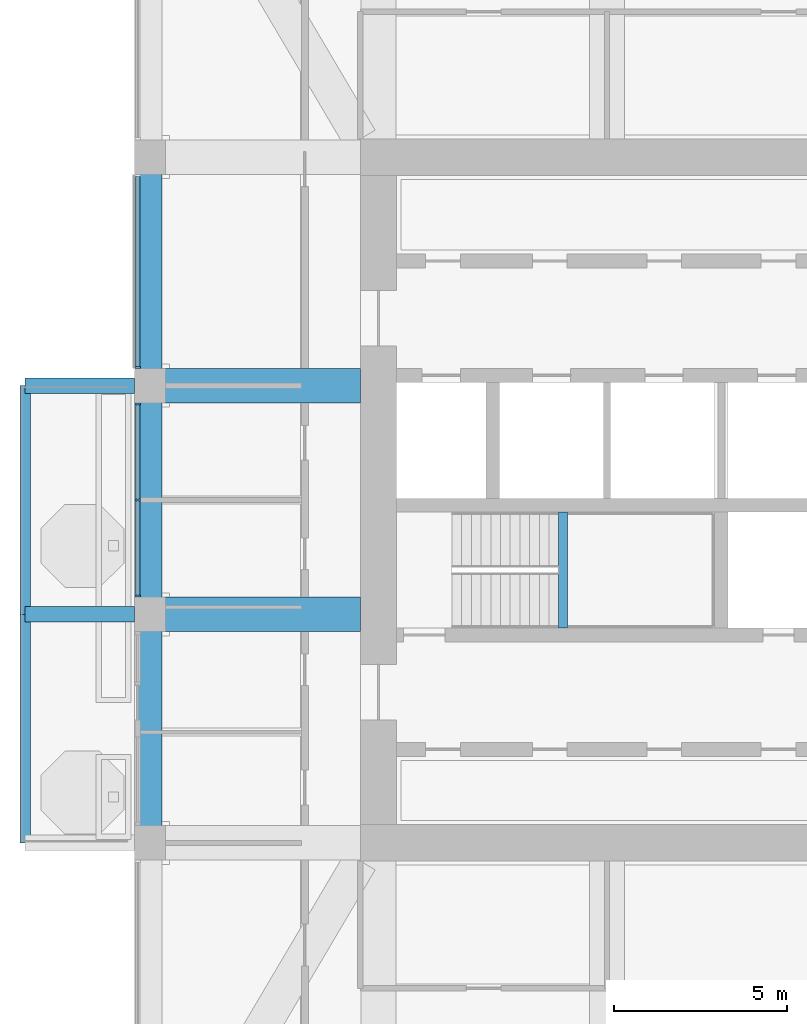
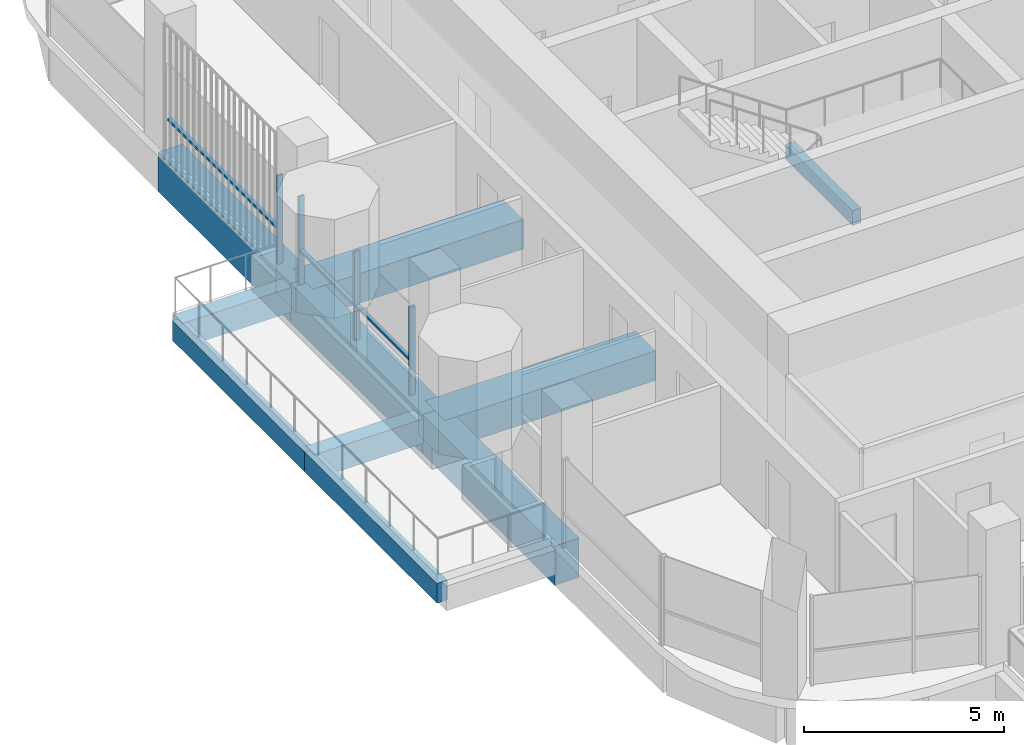
# One storey, part 3 of 19: 10 beams, 7 members, 2 elements without a shape of their own.
"""IFC4 building model written with IfcOpenShell, lengths in metres."""

from ifc_helpers import new_model, si_unit, direction, frame, origin, origin_2d, place, context, subcontext, project, spatial, rectangle, extrude, material, material_profile, profile_set, type_object, element, aggregate, save


model = new_model("IFC4")

# Units and contexts
model_context = context("Model", 3, precision=1e-05, world=origin(), true_north=direction((0.0, 1.0)))
body_context = subcontext(model_context, "Body", "Model", "MODEL_VIEW")
ifc_project = project(units=[si_unit("LENGTHUNIT", "METRE"), si_unit("AREAUNIT", "SQUARE_METRE"), si_unit("VOLUMEUNIT", "CUBIC_METRE"), si_unit("PLANEANGLEUNIT", "RADIAN"), si_unit("MASSUNIT", "GRAM", prefix="KILO")], contexts=[model_context])

# Site, building, storey
site_placement = place(None, origin())
site = spatial("IfcSite", under=ifc_project, at=site_placement, CompositionType="ELEMENT")
building_placement = place(site_placement, origin())
building = spatial("IfcBuilding", under=site, at=building_placement, Name="Cobogo Forest Laboratory Tower", CompositionType="ELEMENT")
storey_placement = place(building_placement, frame((0.0, 0.0, 262.800048828125)))
storey = spatial("IfcBuildingStorey", under=building, at=storey_placement, Name="L60", CompositionType="ELEMENT", Elevation=262.800048828125)

# Beams
ifc_material_1 = material(Name="Concrete HA-40 (C40/50)", Category="concrete")
ifc_material_profile_1 = material_profile(ifc_material_1, rectangle(XDim=0.449951171875, YDim=0.75, at=origin_2d()), Name="RC 450x750")
ifc_profile_set_1 = profile_set([ifc_material_profile_1], Name="Concrete HA-40 (C40/50)")
beam_type_1 = type_object("IfcBeamType", Name="Balcony cantilever beam 450x750", PredefinedType="BEAM", material=ifc_profile_set_1)
for number, where, z_axis, x_axis, name in (
    (1, (6.14990234375, 19.800048828125, -0.625), (-1.0, 0.0, 0.0), (0.0, -1.0, 0.0), "CB1 BAL-W1-C2 L60"),
    (2, (6.14990234375, 26.39990234375, -0.625), (-1.0, 0.0, 0.0), (0.0, -1.0, 0.0), "CB1 BAL-W1-C3 L60"),
):
    element("IfcBeam", number, at=place(storey_placement, frame(where, z_axis=z_axis, x_axis=x_axis)), inside=storey, type_object=beam_type_1, Name=name, PredefinedType="BEAM", context=body_context, shape_type="SweptSolid", body=[
        extrude(rectangle(XDim=0.449951171875, YDim=0.75, at=origin_2d()), origin(), (0.0, 0.0, 1.0), 3.14990234375),
    ])
ifc_material_profile_2 = material_profile(ifc_material_1, rectangle(XDim=0.300048828125, YDim=0.60009765625, at=origin_2d()), Name="RC 300x600")
ifc_profile_set_2 = profile_set([ifc_material_profile_2], Name="Concrete HA-40 (C40/50)")
beam_type_2 = type_object("IfcBeamType", Name="Balcony edge beam 300x600", PredefinedType="BEAM", material=ifc_profile_set_2)
beam_1_placement = place(storey_placement, frame((3.0, 13.199951171875, -0.550048828125), z_axis=(0.0, 1.0, 0.0), x_axis=(-1.0, 0.0, 0.0)))
element("IfcBeam", 3, at=beam_1_placement, inside=storey, type_object=beam_type_2, Name="BB1 BAL-W1-T1 L60", PredefinedType="BEAM", context=body_context, shape_type="SweptSolid", body=[
    extrude(rectangle(XDim=0.300048828125, YDim=0.60009765625, at=origin_2d()), origin(), (0.0, 0.0, 1.0), 6.60009765625),
])
beam_2_placement = place(storey_placement, frame((3.0, 19.800048828125, -0.550048828125), z_axis=(0.0, 1.0, 0.0), x_axis=(-1.0, 0.0, 0.0)))
element("IfcBeam", 4, at=beam_2_placement, inside=storey, type_object=beam_type_2, Name="BB1 BAL-W1-T2 L60", PredefinedType="BEAM", context=body_context, shape_type="SweptSolid", body=[
    extrude(rectangle(XDim=0.300048828125, YDim=0.60009765625, at=origin_2d()), origin(), (0.0, 0.0, 1.0), 6.599853515625),
])
ifc_material_profile_3 = material_profile(ifc_material_1, rectangle(XDim=0.25, YDim=0.449951171875, at=origin_2d()), Name="RC 250x450")
ifc_profile_set_3 = profile_set([ifc_material_profile_3], Name="Concrete HA-40 (C40/50)")
beam_type_3 = type_object("IfcBeamType", Name="LB1 landing beam 250x450", PredefinedType="BEAM", material=ifc_profile_set_3)
beam_3_placement = place(storey_placement, frame((18.530029296875, 19.39990234375, 1.675048828125), z_axis=(0.0, 1.0, 0.0), x_axis=(-1.0, 0.0, 0.0)))
element("IfcBeam", 5, at=beam_3_placement, inside=storey, type_object=beam_type_3, Name="Landing beam ST1 L60", PredefinedType="BEAM", context=body_context, shape_type="SweptSolid", body=[
    extrude(rectangle(XDim=0.25, YDim=0.449951171875, at=origin_2d()), origin(), (0.0, 0.0, 1.0), 3.35009765625),
])

# Curtain wall, member
ifc_material_2 = material(Name="Aluminium curtain wall", Category="aluminium")
curtain_wall_type = type_object("IfcCurtainWallType", Name="CW-2 unitised curtain wall, solar control glazing, laboratory floors zones C and D", PredefinedType="USERDEFINED", material=ifc_material_2)
curtain_wall_1_placement = place(storey_placement, origin())
curtain_wall_1 = element("IfcCurtainWall", 6, at=curtain_wall_1_placement, inside=storey, type_object=curtain_wall_type, Name="Curtain wall 21 L60", ObjectType="UNITISED CURTAIN WALL", PredefinedType="USERDEFINED")
ifc_material_3 = material(Name="Aluminium mullion", Category="aluminium")
ifc_material_profile_4 = material_profile(ifc_material_3, rectangle(XDim=0.06005859375, YDim=0.159912109375, at=origin_2d()), Name="AL 60x160")
ifc_profile_set_4 = profile_set([ifc_material_profile_4], Name="Aluminium mullion")
member_type_1 = type_object("IfcMemberType", Name="MU-1 aluminium mullion 60x160", PredefinedType="MULLION", material=ifc_profile_set_4)
member_1_placement = place(storey_placement, frame((6.25, 26.929931640625, 0.0), z_axis=(0.0, 0.0, 1.0), x_axis=(0.0, -1.0, 0.0)))
member_1 = element("IfcMember", 7, at=member_1_placement, type_object=member_type_1, Name="CW-2 mullion 2", PredefinedType="MULLION", context=body_context, shape_type="SweptSolid", body=[
    extrude(rectangle(XDim=0.06005859375, YDim=0.159912109375, at=origin_2d()), origin(), (0.0, 0.0, 1.0), 2.699951171875),
])

# Curtain wall, members
curtain_wall_2_placement = place(storey_placement, origin())
curtain_wall_2 = element("IfcCurtainWall", 8, at=curtain_wall_2_placement, inside=storey, type_object=curtain_wall_type, Name="Curtain wall 22 L60", ObjectType="UNITISED CURTAIN WALL", PredefinedType="USERDEFINED")
member_2_placement = place(storey_placement, frame((6.25, 25.8701171875, 0.0), z_axis=(0.0, 0.0, 1.0), x_axis=(0.0, -1.0, 0.0)))
member_2 = element("IfcMember", 9, at=member_2_placement, type_object=member_type_1, Name="CW-2 mullion 1", PredefinedType="MULLION", context=body_context, shape_type="SweptSolid", body=[
    extrude(rectangle(XDim=0.06005859375, YDim=0.159912109375, at=origin_2d()), origin(), (0.0, 0.0, 1.0), 2.699951171875),
])
member_3_placement = place(storey_placement, frame((6.25, 23.10009765625, 0.0), z_axis=(0.0, 0.0, 1.0), x_axis=(0.0, -1.0, 0.0)))
member_3 = element("IfcMember", 10, at=member_3_placement, type_object=member_type_1, Name="CW-2 mullion 2", PredefinedType="MULLION", context=body_context, shape_type="SweptSolid", body=[
    extrude(rectangle(XDim=0.06005859375, YDim=0.159912109375, at=origin_2d()), origin(), (0.0, 0.0, 1.0), 2.699951171875),
])
member_4_placement = place(storey_placement, frame((6.25, 20.330078125, 0.0), z_axis=(0.0, 0.0, 1.0), x_axis=(0.0, -1.0, 0.0)))
member_4 = element("IfcMember", 11, at=member_4_placement, type_object=member_type_1, Name="CW-2 mullion 3", PredefinedType="MULLION", context=body_context, shape_type="SweptSolid", body=[
    extrude(rectangle(XDim=0.06005859375, YDim=0.159912109375, at=origin_2d()), origin(), (0.0, 0.0, 1.0), 2.699951171875),
])

# Beams
ifc_material_profile_5 = material_profile(ifc_material_1, rectangle(XDim=1.0, YDim=0.89990234375, at=origin_2d()), Name="RC 1000x900")
ifc_profile_set_5 = profile_set([ifc_material_profile_5], Name="Concrete HA-40 (C40/50)")
beam_type_4 = type_object("IfcBeamType", Name="Office floor wide beam 1000x900", PredefinedType="BEAM", material=ifc_profile_set_5)
for number, where, z_axis, x_axis, name in (
    (12, (12.675048828125, 19.800048828125, -0.75), (-1.0, 0.0, 0.0), (0.0, -1.0, 0.0), "RB2 R-D-W L60"),
    (13, (12.675048828125, 26.39990234375, -0.75), (-1.0, 0.0, 0.0), (0.0, -1.0, 0.0), "RB2 R-E-W L60"),
):
    element("IfcBeam", number, at=place(storey_placement, frame(where, z_axis=z_axis, x_axis=x_axis)), inside=storey, type_object=beam_type_4, Name=name, PredefinedType="BEAM", context=body_context, shape_type="SweptSolid", body=[
        extrude(rectangle(XDim=1.0, YDim=0.89990234375, at=origin_2d()), origin(), (0.0, 0.0, 1.0), 6.074951171875),
    ])
ifc_material_profile_6 = material_profile(ifc_material_1, rectangle(XDim=0.699951171875, YDim=1.199951171875, at=origin_2d()), Name="RC 700x1200")
ifc_profile_set_6 = profile_set([ifc_material_profile_6], Name="Concrete HA-40 (C40/50)")
beam_type_5 = type_object("IfcBeamType", Name="Perimeter edge beam 700x1200", PredefinedType="BEAM", material=ifc_profile_set_6)
beam_4_placement = place(storey_placement, frame((6.60009765625, 13.199951171875, -0.900146484375), z_axis=(0.0, 1.0, 0.0), x_axis=(-1.0, 0.0, 0.0)))
element("IfcBeam", 14, at=beam_4_placement, inside=storey, type_object=beam_type_5, Name="EB1 E-W1 L60", PredefinedType="BEAM", context=body_context, shape_type="SweptSolid", body=[
    extrude(rectangle(XDim=0.699951171875, YDim=1.199951171875, at=origin_2d()), origin(), (0.0, 0.0, 1.0), 6.60009765625),
])
beam_5_placement = place(storey_placement, frame((6.60009765625, 19.800048828125, -0.900146484375), z_axis=(0.0, 1.0, 0.0), x_axis=(-1.0, 0.0, 0.0)))
element("IfcBeam", 15, at=beam_5_placement, inside=storey, type_object=beam_type_5, Name="EB1 E-W2 L60", PredefinedType="BEAM", context=body_context, shape_type="SweptSolid", body=[
    extrude(rectangle(XDim=0.699951171875, YDim=1.199951171875, at=origin_2d()), origin(), (0.0, 0.0, 1.0), 6.599853515625),
])
beam_6_placement = place(storey_placement, frame((6.60009765625, 26.39990234375, -0.900146484375), z_axis=(0.0, 1.0, 0.0), x_axis=(-1.0, 0.0, 0.0)))
element("IfcBeam", 16, at=beam_6_placement, inside=storey, type_object=beam_type_5, Name="EB1 E-W3 L60", PredefinedType="BEAM", context=body_context, shape_type="SweptSolid", body=[
    extrude(rectangle(XDim=0.699951171875, YDim=1.199951171875, at=origin_2d()), origin(), (0.0, 0.0, 1.0), 6.60009765625),
])

# Member
ifc_material_4 = material(Name="Aluminium transom", Category="aluminium")
ifc_material_profile_7 = material_profile(ifc_material_4, rectangle(XDim=0.1201171875, YDim=0.06005859375, at=origin_2d()), Name="AL 60x120")
ifc_profile_set_7 = profile_set([ifc_material_profile_7], Name="Aluminium transom")
member_type_2 = type_object("IfcMemberType", Name="TR-1 aluminium transom 60x120", PredefinedType="USERDEFINED", material=ifc_profile_set_7)
member_5_placement = place(storey_placement, frame((6.25, 32.43994140625, 1.050048828125), z_axis=(0.0, -1.0, 0.0), x_axis=(1.0, 0.0, 0.0)))
member_5 = element("IfcMember", 17, at=member_5_placement, type_object=member_type_2, Name="CW-2 transom 1.1", ObjectType="TRANSOM", PredefinedType="USERDEFINED", context=body_context, shape_type="SweptSolid", body=[
    extrude(rectangle(XDim=0.1201171875, YDim=0.06005859375, at=origin_2d()), origin(), (0.0, 0.0, 1.0), 5.47998046875),
])

aggregate(curtain_wall_1, [member_1, member_5])

member_6_placement = place(storey_placement, frame((6.25, 25.840087890625, 1.050048828125), z_axis=(0.0, -1.0, 0.0), x_axis=(1.0, 0.0, 0.0)))
member_6 = element("IfcMember", 18, at=member_6_placement, type_object=member_type_2, Name="CW-2 transom 1.1", ObjectType="TRANSOM", PredefinedType="USERDEFINED", context=body_context, shape_type="SweptSolid", body=[
    extrude(rectangle(XDim=0.1201171875, YDim=0.06005859375, at=origin_2d()), origin(), (0.0, 0.0, 1.0), 2.710205078125),
])

member_7_placement = place(storey_placement, frame((6.25, 23.070068359375, 1.050048828125), z_axis=(0.0, -1.0, 0.0), x_axis=(1.0, 0.0, 0.0)))
member_7 = element("IfcMember", 19, at=member_7_placement, type_object=member_type_2, Name="CW-2 transom 2.1", ObjectType="TRANSOM", PredefinedType="USERDEFINED", context=body_context, shape_type="SweptSolid", body=[
    extrude(rectangle(XDim=0.1201171875, YDim=0.06005859375, at=origin_2d()), origin(), (0.0, 0.0, 1.0), 2.7099609375),
])

aggregate(curtain_wall_2, [member_2, member_3, member_4, member_6, member_7])

save(model, "model.ifc")
